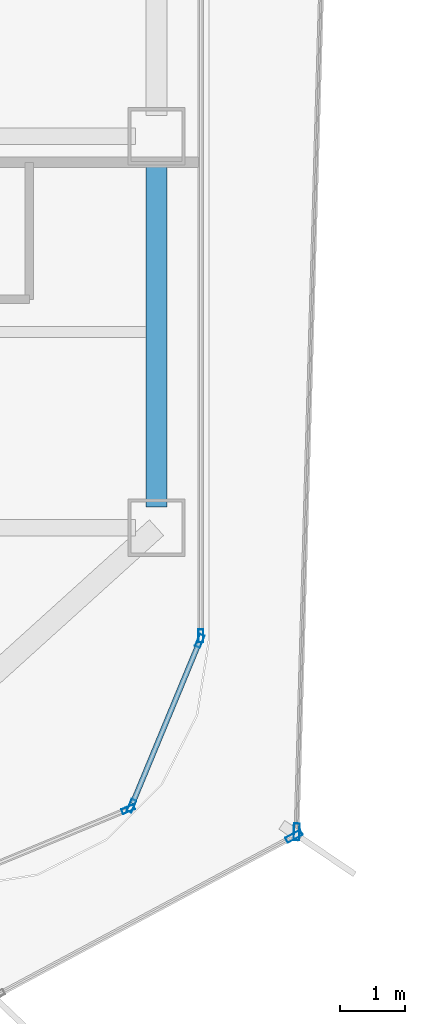
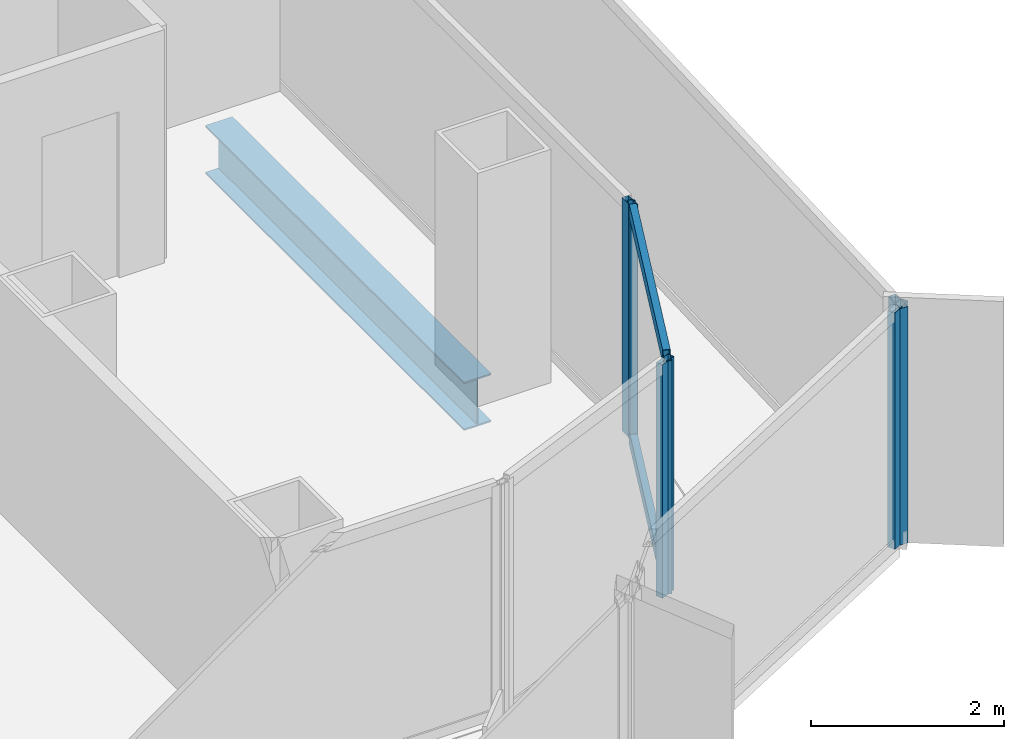
# One storey, part 8 of 21: 8 members, 1 beam, 5 elements without a shape of their own.
"""IFC4 building model written with IfcOpenShell, lengths in metres."""

from ifc_helpers import new_model, si_unit, direction, frame, origin, origin_2d, place, context, subcontext, project, spatial, hollow_rectangle, i_section, extrude, source, transform, mapped, material, layer, layer_set, material_profile, profile_set, type_object, element, aggregate, save


model = new_model("IFC4")

# Units and contexts
model_context = context("Model", 3, precision=1e-05, world=origin(), true_north=direction((0.0, 1.0)))
body_context = subcontext(model_context, "Body", "Model", "MODEL_VIEW")
ifc_project = project(units=[si_unit("LENGTHUNIT", "METRE"), si_unit("AREAUNIT", "SQUARE_METRE"), si_unit("VOLUMEUNIT", "CUBIC_METRE"), si_unit("PLANEANGLEUNIT", "RADIAN"), si_unit("MASSUNIT", "GRAM", prefix="KILO")], contexts=[model_context])

# Site, building, storey
site_placement = place(None, origin())
site = spatial("IfcSite", under=ifc_project, at=site_placement, CompositionType="ELEMENT")
building_placement = place(site_placement, origin())
building = spatial("IfcBuilding", under=site, at=building_placement, Name="Kolveth Station Tower", CompositionType="ELEMENT")
storey_placement = place(building_placement, frame((0.0, 0.0, 108.699951171875)))
storey = spatial("IfcBuildingStorey", under=building, at=storey_placement, Name="L29", CompositionType="ELEMENT", Elevation=108.699951171875)

# Beam
ifc_material_1 = material(Name="Steel S355", Category="steel")
ifc_material_profile_1 = material_profile(ifc_material_1, i_section(OverallWidth=0.323974609375, OverallDepth=0.611083984375, WebThickness=0.0126953125, FlangeThickness=0.01904296875, at=origin_2d()), Name="W610x155")
ifc_profile_set_1 = profile_set([ifc_material_profile_1], Name="Steel S355")
beam_type = type_object("IfcBeamType", Name="Beam_SP2", PredefinedType="SPANDREL", material=ifc_profile_set_1)
shared_shape_1 = source(origin(), body_context, "Body", "SweptSolid", [
    extrude(i_section(OverallWidth=0.323974609375, OverallDepth=0.611083984375, WebThickness=0.0126953125, FlangeThickness=0.01904296875, at=origin_2d()), origin(), (0.0, 0.0, 1.0), 5.35986328125),
])
beam_placement = place(storey_placement, frame((46.199951171875, 5.820068359375, -0.555419921875), z_axis=(0.0, 1.0, 0.0), x_axis=(-1.0, 0.0, 0.0)))
element("IfcBeam", 1, at=beam_placement, inside=storey, type_object=beam_type, Name="L29 Perimeter Spandrel BM-L29-PE-1", PredefinedType="SPANDREL", context=body_context, shape_type="MappedRepresentation", body=[
    mapped(shared_shape_1, transform((0.0, 0.0, 0.0), x_axis=(1.0, 0.0, 0.0), y_axis=(0.0, 1.0, 0.0), z_axis=(0.0, 0.0, 1.0), scale=1.0)),
])

# Curtain wall, member
ifc_material_2 = material(Name="Aluminium 6063-T6 and low-E dark glass", Category="aluminium")
ifc_layer_1 = layer(ifc_material_2, 0.18994140625)
ifc_layer_set_1 = layer_set([ifc_layer_1], Name="Aluminium 6063-T6 and low-E dark glass")
curtain_wall_type_1 = type_object("IfcCurtainWallType", Name="CurtainWall_CW-Z2", PredefinedType="NOTDEFINED", material=ifc_layer_set_1)
curtain_wall_1_placement = place(storey_placement, origin())
curtain_wall_1 = element("IfcCurtainWall", 2, at=curtain_wall_1_placement, inside=storey, type_object=curtain_wall_type_1, Name="L29 Inner Thermal Curtain Wall 1", PredefinedType="NOTDEFINED")
ifc_material_3 = material(Name="Black anodized aluminium 6063-T6", Category="aluminium")
ifc_material_profile_2 = material_profile(ifc_material_3, hollow_rectangle(XDim=0.080078125, YDim=0.199951171875, WallThickness=0.0048828125, at=origin_2d()), Name="ALU-80x200x5")
ifc_profile_set_2 = profile_set([ifc_material_profile_2], Name="Black anodized aluminium 6063-T6")
member_type_1 = type_object("IfcMemberType", Name="Mullion_ML2", PredefinedType="MULLION", material=ifc_profile_set_2)
shared_shape_2 = source(origin(), body_context, "Body", "SweptSolid", [
    extrude(hollow_rectangle(XDim=0.080078125, YDim=0.199951171875, WallThickness=0.0048828125, at=origin_2d()), origin(), (0.0, 0.0, 1.0), 2.949951171875),
])
member_1_placement = place(storey_placement, frame((45.76513671875, 1.182373046875, 0.0), z_axis=(0.0, 0.0, 1.0), x_axis=(-0.38266326998, 0.923887883787, 0.0)))
member_1 = element("IfcMember", 3, at=member_1_placement, type_object=member_type_1, Name="CW-Z2 mullion 2", PredefinedType="MULLION", context=body_context, shape_type="MappedRepresentation", body=[
    mapped(shared_shape_2, transform((0.0, 0.0, 0.0), x_axis=(1.0, 0.0, 0.0), y_axis=(0.0, 1.0, 0.0), z_axis=(0.0, 0.0, 1.0), scale=1.0)),
])
aggregate(curtain_wall_1, [member_1])

# Curtain wall, members
curtain_wall_2_placement = place(storey_placement, origin())
curtain_wall_2 = element("IfcCurtainWall", 4, at=curtain_wall_2_placement, inside=storey, type_object=curtain_wall_type_1, Name="L29 Inner Thermal Curtain Wall 2", PredefinedType="NOTDEFINED")
member_2_placement = place(storey_placement, frame((45.817626953125, 1.23486328125, 0.0), z_axis=(0.0, 0.0, 1.0), x_axis=(-0.923887883787, 0.38266326998, 0.0)))
member_2 = element("IfcMember", 5, at=member_2_placement, type_object=member_type_1, Name="CW-Z2 mullion 1", PredefinedType="MULLION", context=body_context, shape_type="MappedRepresentation", body=[
    mapped(shared_shape_2, transform((0.0, 0.0, 0.0), x_axis=(1.0, 0.0, 0.0), y_axis=(0.0, 1.0, 0.0), z_axis=(0.0, 0.0, 1.0), scale=1.0)),
])
member_3_placement = place(storey_placement, frame((46.86474609375, 3.762939453125, 0.0), z_axis=(0.0, 0.0, 1.0), x_axis=(-0.923887883787, 0.38266326998, 0.0)))
member_3 = element("IfcMember", 6, at=member_3_placement, type_object=member_type_1, Name="CW-Z2 mullion 2", PredefinedType="MULLION", context=body_context, shape_type="MappedRepresentation", body=[
    mapped(shared_shape_2, transform((0.0, 0.0, 0.0), x_axis=(1.0, 0.0, 0.0), y_axis=(0.0, 1.0, 0.0), z_axis=(0.0, 0.0, 1.0), scale=1.0)),
])

# Curtain wall, member
curtain_wall_3_placement = place(storey_placement, origin())
curtain_wall_3 = element("IfcCurtainWall", 7, at=curtain_wall_3_placement, inside=storey, type_object=curtain_wall_type_1, Name="L29 Inner Thermal Curtain Wall 3", PredefinedType="NOTDEFINED")
member_4_placement = place(storey_placement, frame((46.8798828125, 3.840087890625, 0.0), z_axis=(0.0, 0.0, 1.0), x_axis=(-1.0, 0.0, 0.0)))
member_4 = element("IfcMember", 8, at=member_4_placement, type_object=member_type_1, Name="CW-Z2 mullion 1", PredefinedType="MULLION", context=body_context, shape_type="MappedRepresentation", body=[
    mapped(shared_shape_2, transform((0.0, 0.0, 0.0), x_axis=(1.0, 0.0, 0.0), y_axis=(0.0, 1.0, 0.0), z_axis=(0.0, 0.0, 1.0), scale=1.0)),
])
aggregate(curtain_wall_3, [member_4])

# Member
ifc_material_profile_3 = material_profile(ifc_material_3, hollow_rectangle(XDim=0.080078125, YDim=0.169921875, WallThickness=0.0048828125, at=origin_2d()), Name="ALU-80x170x5")
ifc_profile_set_3 = profile_set([ifc_material_profile_3], Name="Black anodized aluminium 6063-T6")
member_type_2 = type_object("IfcMemberType", Name="Transom_TR2", PredefinedType="USERDEFINED", material=ifc_profile_set_3)
shared_shape_3 = source(origin(), body_context, "Body", "SweptSolid", [
    extrude(hollow_rectangle(XDim=0.080078125, YDim=0.169921875, WallThickness=0.0048828125, at=origin_2d()), origin(), (0.0, 0.0, 1.0), 2.656494140625),
])
member_5_placement = place(storey_placement, frame((45.832763671875, 1.271728515625, 0.0400390625), z_axis=(0.382676455475, 0.923882422403, 0.0), x_axis=(-0.923882422403, 0.382676455475, 0.0)))
member_5 = element("IfcMember", 9, at=member_5_placement, type_object=member_type_2, Name="CW-Z2 transom 1.1", ObjectType="TRANSOM", PredefinedType="USERDEFINED", context=body_context, shape_type="MappedRepresentation", body=[
    mapped(shared_shape_3, transform((0.0, 0.0, 0.0), x_axis=(1.0, 0.0, 0.0), y_axis=(0.0, 1.0, 0.0), z_axis=(0.0, 0.0, 1.0), scale=1.0)),
])

member_6_placement = place(storey_placement, frame((45.832763671875, 1.271728515625, 2.91015625), z_axis=(0.382676455475, 0.923882422403, 0.0), x_axis=(-0.923882422403, 0.382676455475, 0.0)))
member_6 = element("IfcMember", 10, at=member_6_placement, type_object=member_type_2, Name="CW-Z2 transom 1.2", ObjectType="TRANSOM", PredefinedType="USERDEFINED", context=body_context, shape_type="MappedRepresentation", body=[
    mapped(shared_shape_3, transform((0.0, 0.0, 0.0), x_axis=(1.0, 0.0, 0.0), y_axis=(0.0, 1.0, 0.0), z_axis=(0.0, 0.0, 1.0), scale=1.0)),
])

aggregate(curtain_wall_2, [member_2, member_3, member_5, member_6])

# Curtain wall, member
ifc_material_4 = material(Name="Black anodized aluminium 6063-T6 and dark solar glass", Category="aluminium")
ifc_layer_2 = layer(ifc_material_4, 0.159912109375)
ifc_layer_set_2 = layer_set([ifc_layer_2], Name="Black anodized aluminium 6063-T6 and dark solar glass")
curtain_wall_type_2 = type_object("IfcCurtainWallType", Name="OUTER SKIN CW-OS", PredefinedType="NOTDEFINED", material=ifc_layer_set_2)
curtain_wall_4_placement = place(storey_placement, origin())
curtain_wall_4 = element("IfcCurtainWall", 11, at=curtain_wall_4_placement, inside=storey, type_object=curtain_wall_type_2, Name="L29 Outer Ventilated Skin Curtain Wall 1", PredefinedType="NOTDEFINED")
ifc_material_profile_4 = material_profile(ifc_material_3, hollow_rectangle(XDim=0.090087890625, YDim=0.260009765625, WallThickness=0.0048828125, at=origin_2d()), Name="ALU-90x260x5")
ifc_profile_set_4 = profile_set([ifc_material_profile_4], Name="Black anodized aluminium 6063-T6")
member_type_3 = type_object("IfcMemberType", Name="FIN MULLION ML-OS", PredefinedType="MULLION", material=ifc_profile_set_4)
shared_shape_4 = source(origin(), body_context, "Body", "SweptSolid", [
    extrude(hollow_rectangle(XDim=0.090087890625, YDim=0.260009765625, WallThickness=0.0048828125, at=origin_2d()), origin(), (0.0, 0.0, 1.0), 2.989990234375),
])
member_7_placement = place(storey_placement, frame((48.30859375, 0.7685546875, 0.0), z_axis=(0.0, 0.0, 1.0), x_axis=(-0.472118622155, 0.881535028581, 0.0)))
member_7 = element("IfcMember", 12, at=member_7_placement, type_object=member_type_3, Name="CW-OS mullion 2", PredefinedType="MULLION", context=body_context, shape_type="MappedRepresentation", body=[
    mapped(shared_shape_4, transform((0.0, 0.0, 0.0), x_axis=(1.0, 0.0, 0.0), y_axis=(0.0, 1.0, 0.0), z_axis=(0.0, 0.0, 1.0), scale=1.0)),
])
aggregate(curtain_wall_4, [member_7])

curtain_wall_5_placement = place(storey_placement, origin())
curtain_wall_5 = element("IfcCurtainWall", 13, at=curtain_wall_5_placement, inside=storey, type_object=curtain_wall_type_2, Name="L29 Outer Ventilated Skin Curtain Wall 2", PredefinedType="NOTDEFINED")
member_8_placement = place(storey_placement, frame((48.349609375, 0.8349609375, 0.0), z_axis=(0.0, 0.0, 1.0), x_axis=(-0.999574781457, 0.029159154238, 0.0)))
member_8 = element("IfcMember", 14, at=member_8_placement, type_object=member_type_3, Name="CW-OS mullion 1", PredefinedType="MULLION", context=body_context, shape_type="MappedRepresentation", body=[
    mapped(shared_shape_4, transform((0.0, 0.0, 0.0), x_axis=(1.0, 0.0, 0.0), y_axis=(0.0, 1.0, 0.0), z_axis=(0.0, 0.0, 1.0), scale=1.0)),
])
aggregate(curtain_wall_5, [member_8])

save(model, "model.ifc")
